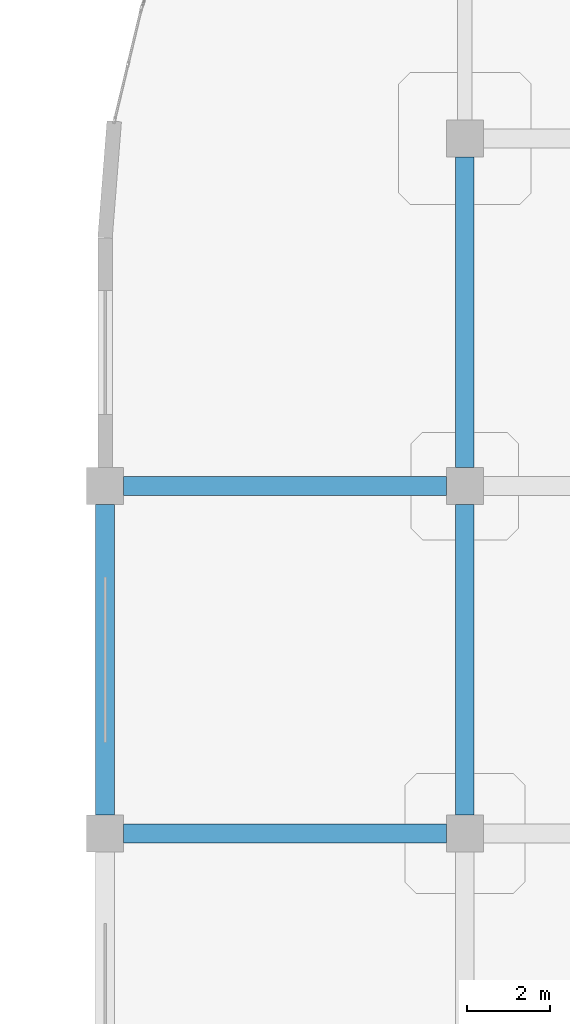
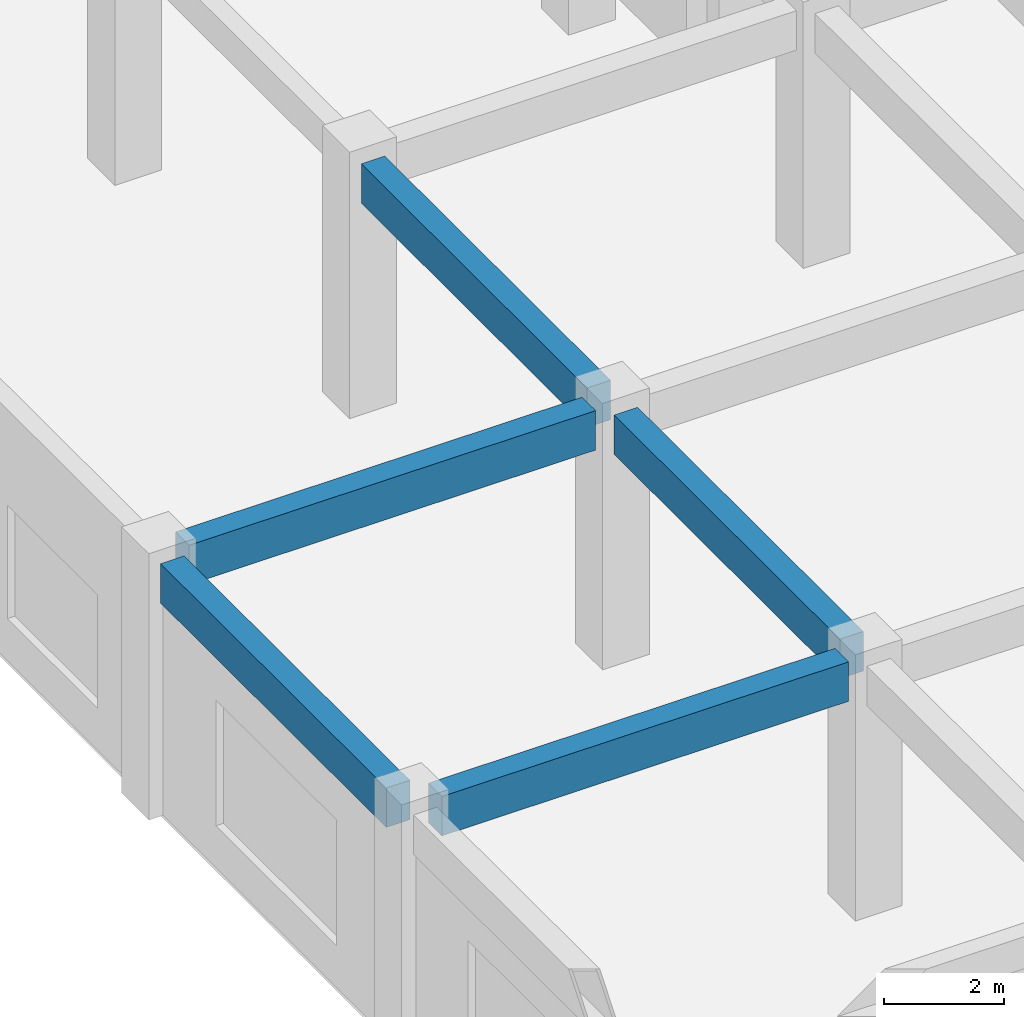
# One storey, part 43 of 114: 5 beams.
"""IFC4 building model written with IfcOpenShell, lengths in metres."""

from ifc_helpers import new_model, si_unit, derived_unit, direction, frame, origin, origin_2d, place, context, subcontext, project, spatial, rectangle, extrude, material, material_profile, profile_set, type_object, element, save


model = new_model("IFC4")

# Units and contexts
model_context = context("Model", 3, precision=1e-05, world=origin(), true_north=direction((0.0, 1.0)))
body_context = subcontext(model_context, "Body", "Model", "MODEL_VIEW")
ifc_project = project(units=[si_unit("LENGTHUNIT", "METRE"), si_unit("AREAUNIT", "SQUARE_METRE"), si_unit("VOLUMEUNIT", "CUBIC_METRE"), si_unit("PLANEANGLEUNIT", "RADIAN"), si_unit("MASSUNIT", "GRAM", prefix="KILO"), derived_unit("THERMALTRANSMITTANCEUNIT", [(si_unit("MASSUNIT", "GRAM", prefix="KILO"), 1), (si_unit("TIMEUNIT", "SECOND"), -3), (si_unit("THERMODYNAMICTEMPERATUREUNIT", "KELVIN"), -1)])], contexts=[model_context])

# Site, building, storey
site_placement = place(None, origin())
site = spatial("IfcSite", under=ifc_project, at=site_placement, CompositionType="ELEMENT")
building_placement = place(site_placement, origin())
building = spatial("IfcBuilding", under=site, at=building_placement, Name="Qinzheling Arcade Emporium", CompositionType="ELEMENT")
storey_placement = place(building_placement, frame((0.0, 0.0, 6.0)))
storey = spatial("IfcBuildingStorey", under=building, at=storey_placement, Name="L02", CompositionType="ELEMENT", Elevation=6.0)

# Beams
ifc_material = material(Name="Concrete C40", Category="concrete")
ifc_material_profile = material_profile(ifc_material, rectangle(XDim=0.449951171875, YDim=0.800048828125, at=origin_2d()), Name="RC 450x800", Category="concrete")
ifc_profile_set = profile_set([ifc_material_profile], Name="Concrete C40")
beam_type = type_object("IfcBeamType", Name="RC Primary Frame Beam 450x800 C40", PredefinedType="BEAM", material=ifc_profile_set)
for number, where, z_axis, x_axis, name in (
    (1, (52.64990234375, 82.199951171875, 4.719970703125), (1.0, 0.0, 0.0), (0.0, 1.0, 0.0), "Beam BM-L02-X-K-7"),
    (2, (52.64990234375, 90.60009765625, 4.719970703125), (1.0, 0.0, 0.0), (0.0, 1.0, 0.0), "Beam BM-L02-X-L-7"),
):
    element("IfcBeam", number, at=place(storey_placement, frame(where, z_axis=z_axis, x_axis=x_axis)), inside=storey, type_object=beam_type, Name=name, PredefinedType="BEAM", context=body_context, shape_type="SweptSolid", body=[
        extrude(rectangle(XDim=0.449951171875, YDim=0.800048828125, at=origin_2d()), origin(), (0.0, 0.0, 1.0), 7.800048828125),
    ])
for number, where, z_axis, x_axis, name in (
    (3, (52.199951171875, 82.64990234375, 4.719970703125), (0.0, 1.0, 0.0), (-1.0, 0.0, 0.0), "Beam BM-L02-Y-7-K"),
    (4, (60.89990234375, 82.64990234375, 4.68994140625), (0.0, 1.0, 0.0), (-1.0, 0.0, 0.0), "Beam BM-L02-Y-8-K"),
    (5, (60.89990234375, 91.050048828125, 4.68994140625), (0.0, 1.0, 0.0), (-1.0, 0.0, 0.0), "Beam BM-L02-Y-8-L"),
):
    element("IfcBeam", number, at=place(storey_placement, frame(where, z_axis=z_axis, x_axis=x_axis)), inside=storey, type_object=beam_type, Name=name, PredefinedType="BEAM", context=body_context, shape_type="SweptSolid", body=[
        extrude(rectangle(XDim=0.449951171875, YDim=0.800048828125, at=origin_2d()), origin(), (0.0, 0.0, 1.0), 7.5),
    ])

save(model, "model.ifc")
